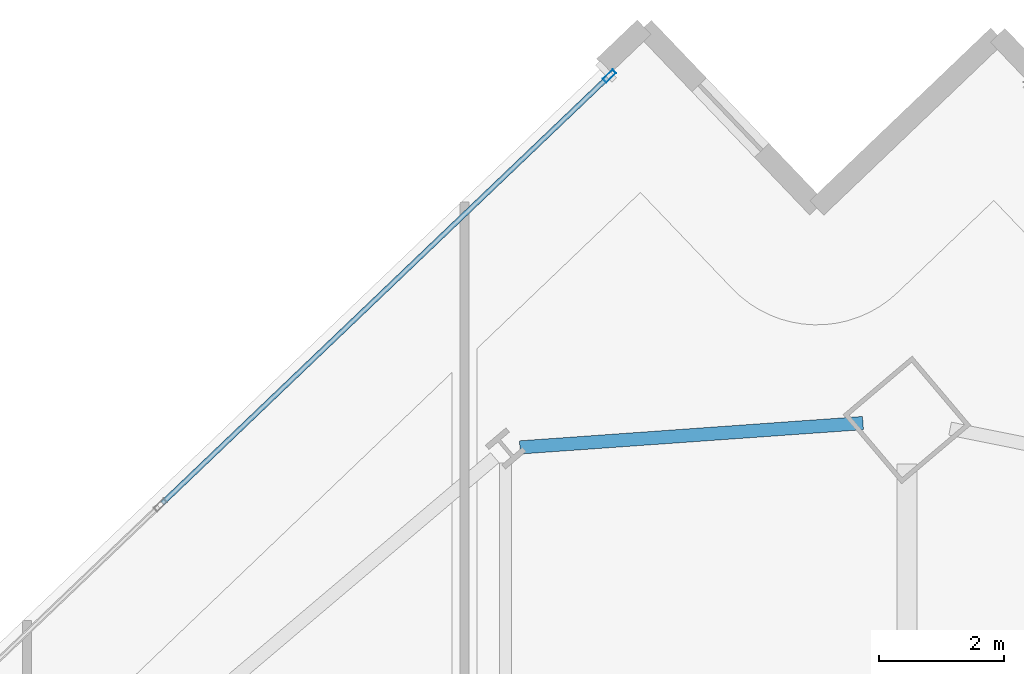
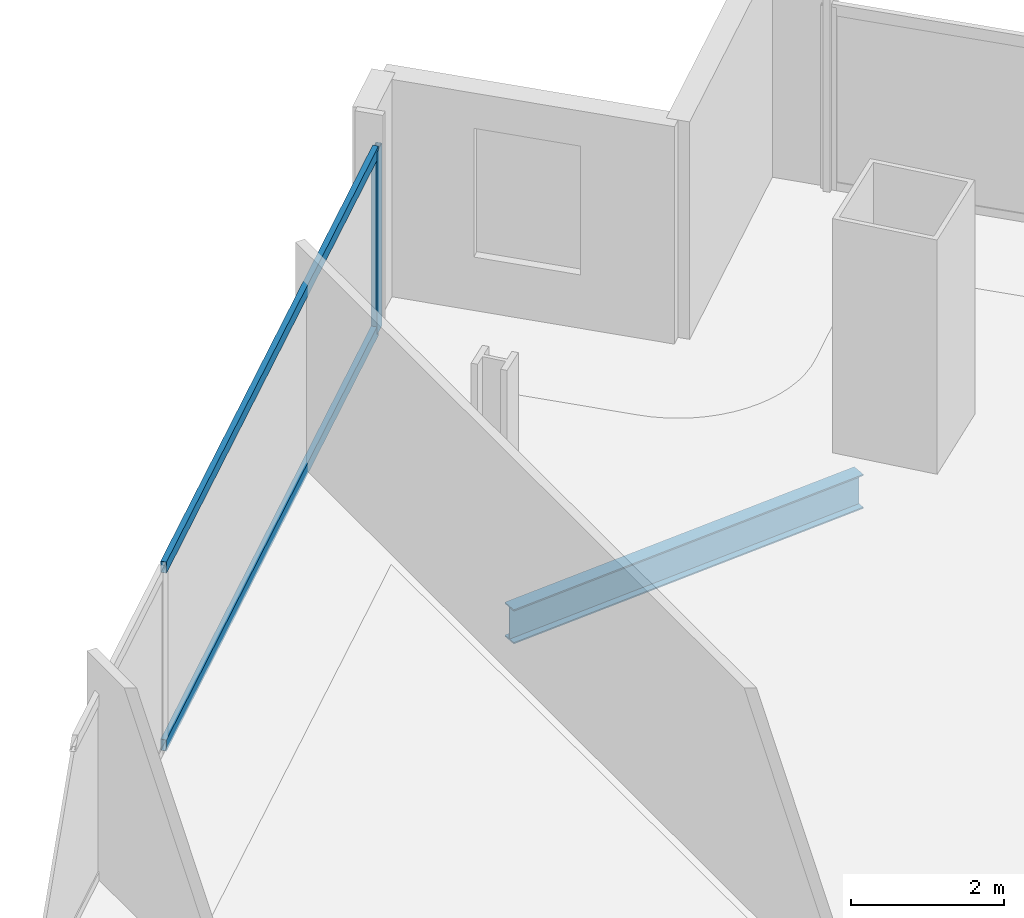
# One storey, part 18 of 33: 3 members, 1 beam, 1 element without a shape of its own.
"""IFC4 building model written with IfcOpenShell, lengths in metres."""

from ifc_helpers import new_model, si_unit, direction, frame, origin, origin_2d, place, context, subcontext, project, spatial, hollow_rectangle, i_section, extrude, material, material_profile, profile_set, type_object, element, aggregate, save


model = new_model("IFC4")

# Units and contexts
model_context = context("Model", 3, precision=1e-05, world=origin(), true_north=direction((0.0, 1.0)))
body_context = subcontext(model_context, "Body", "Model", "MODEL_VIEW")
ifc_project = project(units=[si_unit("LENGTHUNIT", "METRE"), si_unit("AREAUNIT", "SQUARE_METRE"), si_unit("VOLUMEUNIT", "CUBIC_METRE"), si_unit("PLANEANGLEUNIT", "RADIAN"), si_unit("MASSUNIT", "GRAM", prefix="KILO")], contexts=[model_context])

# Site, building, storey
site_placement = place(None, origin())
site = spatial("IfcSite", under=ifc_project, at=site_placement, CompositionType="ELEMENT")
building_placement = place(site_placement, origin())
building = spatial("IfcBuilding", under=site, at=building_placement, Name="Haldenkirk Collegiate Tower", CompositionType="ELEMENT")
storey_placement = place(building_placement, frame((0.0, 0.0, 174.449951171875)))
storey = spatial("IfcBuildingStorey", under=building, at=storey_placement, Name="L43", CompositionType="ELEMENT", Elevation=174.449951171875)

# Beam
ifc_material_1 = material(Name="Steel ASTM A992 Grade 50", Category="steel")
ifc_material_profile_1 = material_profile(ifc_material_1, i_section(OverallWidth=0.2119140625, OverallDepth=0.5439453125, WebThickness=0.01318359375, FlangeThickness=0.021240234375, at=origin_2d()), Name="W21X83")
ifc_profile_set_1 = profile_set([ifc_material_profile_1], Name="Steel ASTM A992 Grade 50")
beam_type = type_object("IfcBeamType", Name="BM-SPANDREL-W21X83", PredefinedType="SPANDREL", material=ifc_profile_set_1)
beam_placement = place(storey_placement, frame((38.373779296875, 51.025146484375, -0.56201171875), z_axis=(-0.997489017738, -0.070821320891, 0.0), x_axis=(0.070821320891, -0.997489017738, 0.0)))
element("IfcBeam", 1, at=beam_placement, inside=storey, type_object=beam_type, Name="L43 perimeter spandrel beam 09", PredefinedType="SPANDREL", context=body_context, shape_type="SweptSolid", body=[
    extrude(i_section(OverallWidth=0.2119140625, OverallDepth=0.5439453125, WebThickness=0.01318359375, FlangeThickness=0.021240234375, at=origin_2d()), origin(), (0.0, 0.0, 1.0), 5.501953125),
])

# Curtain wall, members
ifc_material_2 = material(Name="Anodised architectural bronze aluminium", Category="aluminium")
curtain_wall_type = type_object("IfcCurtainWallType", Name="CW-SYS1-CONVEX-LOW", PredefinedType="USERDEFINED", material=ifc_material_2)
curtain_wall_placement = place(storey_placement, origin())
curtain_wall = element("IfcCurtainWall", 2, at=curtain_wall_placement, inside=storey, type_object=curtain_wall_type, Name="L43 Lower tower convex bronze-framed unitised curtain wall", ObjectType="UNITISED CURTAIN WALL", PredefinedType="USERDEFINED")
ifc_material_profile_2 = material_profile(ifc_material_2, hollow_rectangle(XDim=0.080078125, YDim=0.219970703125, WallThickness=0.0048828125, at=origin_2d()), Name="CW-MUL-1A")
ifc_profile_set_2 = profile_set([ifc_material_profile_2], Name="Anodised architectural bronze aluminium")
member_type_1 = type_object("IfcMemberType", Name="CW-MUL-1A", PredefinedType="MULLION", material=ifc_profile_set_2)
member_1_placement = place(storey_placement, frame((34.3173828125, 56.578857421875, 0.0), z_axis=(0.0, 0.0, 1.0), x_axis=(-0.690882167458, 0.722967378717, 0.0)))
member_1 = element("IfcMember", 3, at=member_1_placement, type_object=member_type_1, Name="CW-1A mullion 5", PredefinedType="MULLION", context=body_context, shape_type="SweptSolid", body=[
    extrude(hollow_rectangle(XDim=0.080078125, YDim=0.219970703125, WallThickness=0.0048828125, at=origin_2d()), origin(), (0.0, 0.0, 1.0), 2.9111328125),
])
ifc_material_profile_3 = material_profile(ifc_material_2, hollow_rectangle(XDim=0.080078125, YDim=0.179931640625, WallThickness=0.0048828125, at=origin_2d()), Name="CW-TRN-1A")
ifc_profile_set_3 = profile_set([ifc_material_profile_3], Name="Anodised architectural bronze aluminium")
member_type_2 = type_object("IfcMemberType", Name="CW-TRN-1A", PredefinedType="USERDEFINED", material=ifc_profile_set_3)
member_2_placement = place(storey_placement, frame((27.163818359375, 49.74267578125, 0.0400390625), z_axis=(0.72296566776, 0.690883957869, 0.0), x_axis=(-0.690883957869, 0.72296566776, 0.0)))
member_2 = element("IfcMember", 4, at=member_2_placement, type_object=member_type_2, Name="CW-1A transom 4.1", ObjectType="TRANSOM", PredefinedType="USERDEFINED", context=body_context, shape_type="SweptSolid", body=[
    extrude(hollow_rectangle(XDim=0.080078125, YDim=0.179931640625, WallThickness=0.0048828125, at=origin_2d()), origin(), (0.0, 0.0, 1.0), 9.85498046875),
])
member_3_placement = place(storey_placement, frame((27.163818359375, 49.74267578125, 2.87109375), z_axis=(0.72296566776, 0.690883957869, 0.0), x_axis=(-0.690883957869, 0.72296566776, 0.0)))
member_3 = element("IfcMember", 5, at=member_3_placement, type_object=member_type_2, Name="CW-1A transom 4.2", ObjectType="TRANSOM", PredefinedType="USERDEFINED", context=body_context, shape_type="SweptSolid", body=[
    extrude(hollow_rectangle(XDim=0.080078125, YDim=0.179931640625, WallThickness=0.0048828125, at=origin_2d()), origin(), (0.0, 0.0, 1.0), 9.85498046875),
])
aggregate(curtain_wall, [member_1, member_2, member_3])

save(model, "model.ifc")
